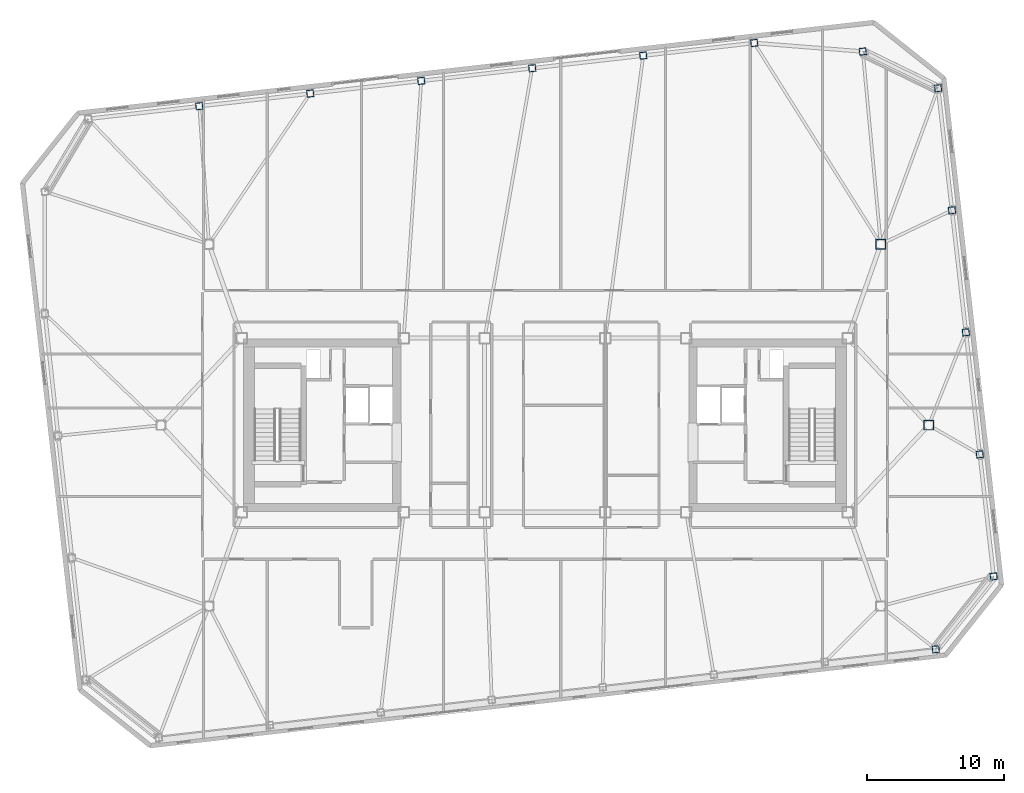
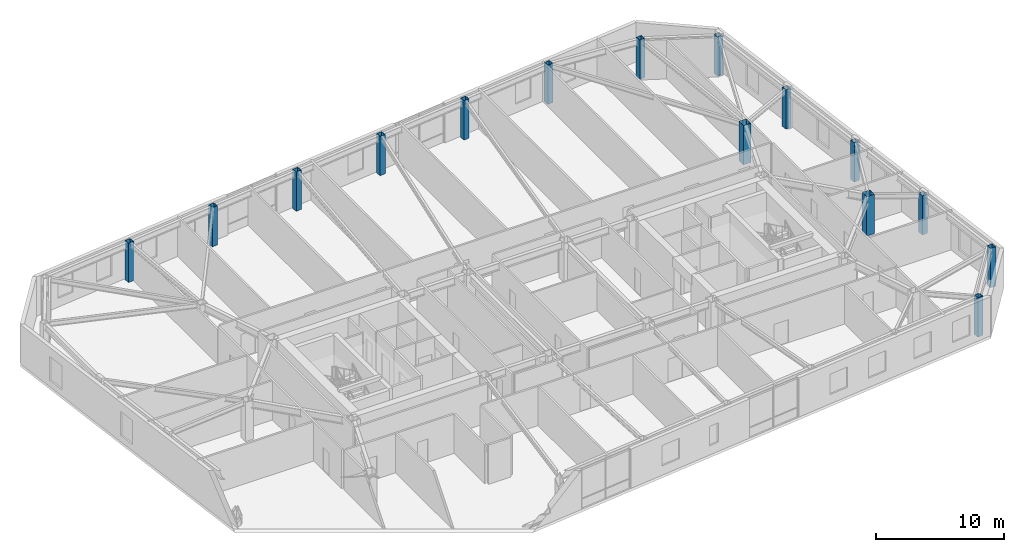
# One storey, part 2 of 19: 15 columns.
"""IFC4 building model written with IfcOpenShell, lengths in metres."""

from ifc_helpers import new_model, si_unit, direction, frame, origin, origin_2d, place, context, subcontext, project, spatial, hollow_rectangle, extrude, material, material_profile, profile_set, type_object, element, save


model = new_model("IFC4")

# Units and contexts
model_context = context("Model", 3, precision=1e-05, world=origin(), true_north=direction((0.0, 1.0)))
body_context = subcontext(model_context, "Body", "Model", "MODEL_VIEW")
ifc_project = project(units=[si_unit("LENGTHUNIT", "METRE"), si_unit("AREAUNIT", "SQUARE_METRE"), si_unit("VOLUMEUNIT", "CUBIC_METRE"), si_unit("PLANEANGLEUNIT", "RADIAN"), si_unit("MASSUNIT", "GRAM", prefix="KILO")], contexts=[model_context])

# Site, building, storey
site_placement = place(None, origin())
site = spatial("IfcSite", under=ifc_project, at=site_placement, CompositionType="ELEMENT")
building_placement = place(site_placement, origin())
building = spatial("IfcBuilding", under=site, at=building_placement, Name="Tavrogorsk Clinical Tower", CompositionType="ELEMENT")
storey_placement = place(building_placement, frame((0.0, 0.0, 263.0)))
storey = spatial("IfcBuildingStorey", under=building, at=storey_placement, Name="L61", CompositionType="ELEMENT", Elevation=263.0)

# Columns
ifc_material_1 = material(Name="Structural steel S440", Category="steel")
ifc_material_profile_1 = material_profile(ifc_material_1, hollow_rectangle(XDim=0.699951171875, YDim=0.699951171875, WallThickness=0.031982421875, at=origin_2d()), Name="BOX-700x700x32")
ifc_profile_set_1 = profile_set([ifc_material_profile_1], Name="Structural steel S440")
column_type_1 = type_object("IfcColumnType", Name="MegaCol_BOX700", PredefinedType="COLUMN", material=ifc_profile_set_1)
for number, where, z_axis, x_axis, name in (
    (1, (24.5, 13.199951171875, 0.0), (0.0, 0.0, 1.0), (1.0, 0.0, 0.0), "L61 Spine Pilotis Column MC-P4"),
    (2, (28.0, 0.0, 0.0), (0.0, 0.0, 1.0), (1.0, 0.0, 0.0), "L61 Spine Pilotis Column MC-P6"),
):
    element("IfcColumn", number, at=place(storey_placement, frame(where, z_axis=z_axis, x_axis=x_axis)), inside=storey, type_object=column_type_1, Name=name, PredefinedType="COLUMN", context=body_context, shape_type="SweptSolid", body=[
        extrude(hollow_rectangle(XDim=0.699951171875, YDim=0.699951171875, WallThickness=0.031982421875, at=origin_2d()), origin(), (0.0, 0.0, 1.0), 3.739990234375),
    ])
ifc_material_2 = material(Name="Structural steel S440", Category="steel")
ifc_material_profile_2 = material_profile(ifc_material_2, hollow_rectangle(XDim=0.5, YDim=0.5, WallThickness=0.02490234375, at=origin_2d()), Name="BOX-500x500x25")
ifc_profile_set_2 = profile_set([ifc_material_profile_2], Name="Structural steel S440")
column_type_2 = type_object("IfcColumnType", Name="PerimCol_B4_BOX500", PredefinedType="COLUMN", material=ifc_profile_set_2)
for number, where, z_axis, x_axis, name in (
    (3, (28.508544921875, -16.345458984375, 0.0), (0.0, 0.0, 1.0), (0.993571855677, 0.113203213768, 0.0), "L61 Perimeter Column S8"),
    (4, (23.188232421875, 27.25341796875, 0.0), (0.0, 0.0, 1.0), (0.993571855677, 0.113203213768, 0.0), "L61 Perimeter Column N1"),
    (5, (15.2685546875, 27.880126953125, 0.0), (0.0, 0.0, 1.0), (0.993571855677, 0.113203213768, 0.0), "L61 Perimeter Column N2"),
    (6, (7.17236328125, 26.95751953125, 0.0), (0.0, 0.0, 1.0), (0.993571855677, 0.113203213768, 0.0), "L61 Perimeter Column N3"),
    (7, (-0.923828125, 26.03515625, 0.0), (0.0, 0.0, 1.0), (0.993571855677, 0.113203213768, 0.0), "L61 Perimeter Column N4"),
    (8, (-9.02001953125, 25.11279296875, 0.0), (0.0, 0.0, 1.0), (0.993571855677, 0.113203213768, 0.0), "L61 Perimeter Column N5"),
    (9, (-17.1162109375, 24.190185546875, 0.0), (0.0, 0.0, 1.0), (0.993571855677, 0.113203213768, 0.0), "L61 Perimeter Column N6"),
    (10, (-25.21240234375, 23.267822265625, 0.0), (0.0, 0.0, 1.0), (0.993571855677, 0.113203213768, 0.0), "L61 Perimeter Column N7"),
    (11, (32.734375, -11.032958984375, 0.0), (0.0, 0.0, 1.0), (0.993571855677, 0.113203213768, 0.0), "L61 Perimeter Column E1"),
    (12, (31.72021484375, -2.130615234375, 0.0), (0.0, 0.0, 1.0), (0.993571855677, 0.113203213768, 0.0), "L61 Perimeter Column E2"),
    (13, (30.705810546875, 6.77197265625, 0.0), (0.0, 0.0, 1.0), (0.993571855677, 0.113203213768, 0.0), "L61 Perimeter Column E3"),
    (14, (29.69140625, 15.67431640625, 0.0), (0.0, 0.0, 1.0), (0.993571855677, 0.113203213768, 0.0), "L61 Perimeter Column E4"),
    (15, (28.67724609375, 24.57666015625, 0.0), (0.0, 0.0, 1.0), (0.993571855677, 0.113203213768, 0.0), "L61 Perimeter Column E5"),
):
    element("IfcColumn", number, at=place(storey_placement, frame(where, z_axis=z_axis, x_axis=x_axis)), inside=storey, type_object=column_type_2, Name=name, PredefinedType="COLUMN", context=body_context, shape_type="SweptSolid", body=[
        extrude(hollow_rectangle(XDim=0.5, YDim=0.5, WallThickness=0.02490234375, at=origin_2d()), origin(), (0.0, 0.0, 1.0), 3.739990234375),
    ])

save(model, "model.ifc")
